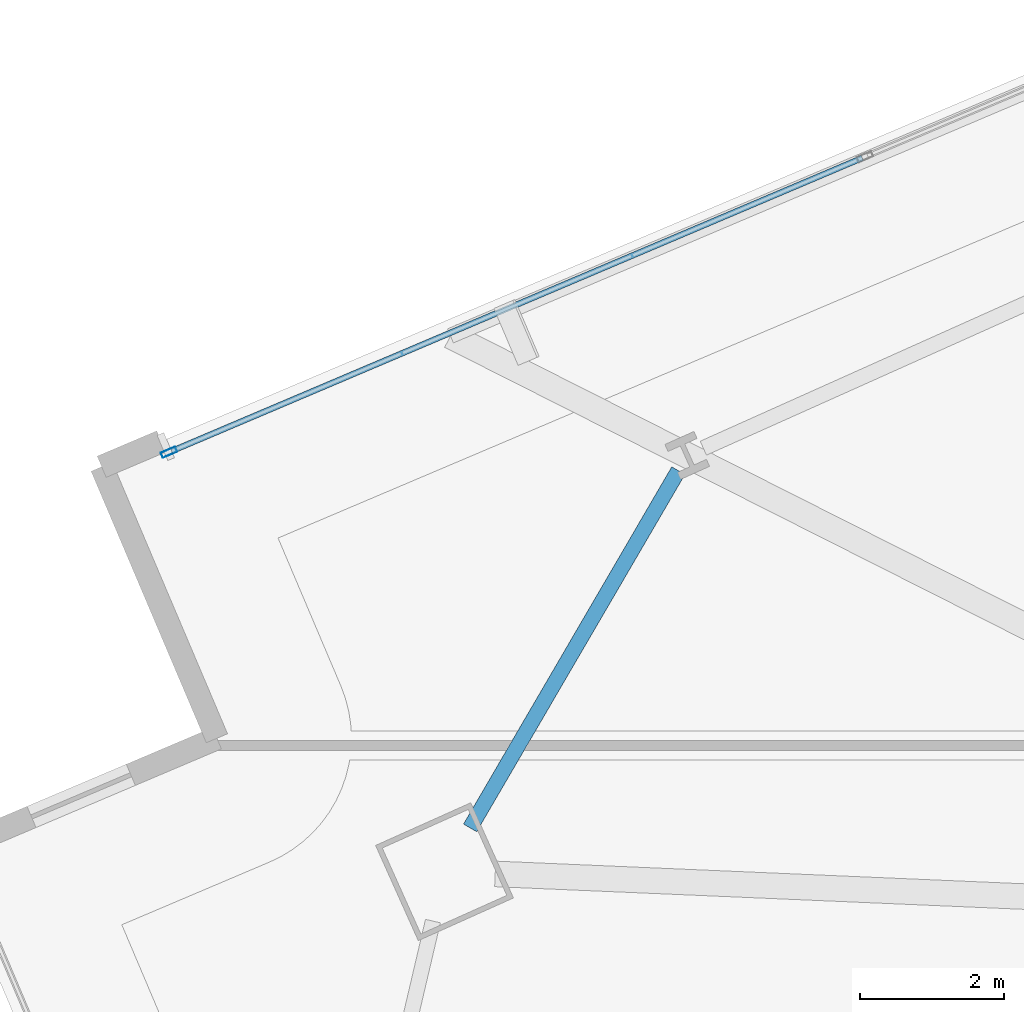
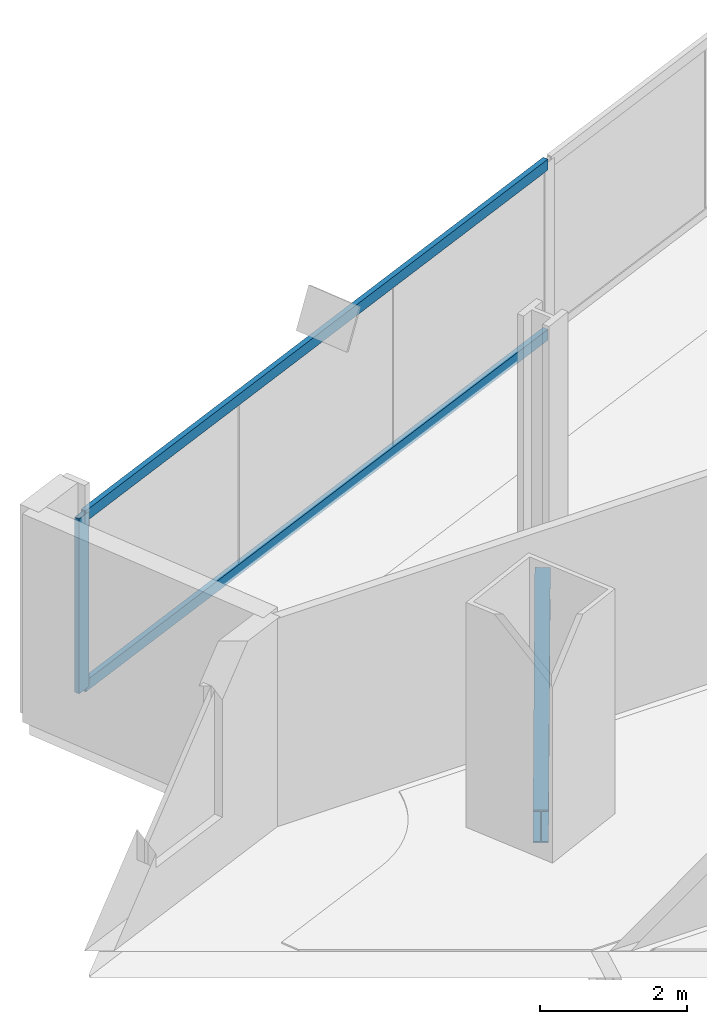
# One storey, part 16 of 34: 3 members, 1 beam, 1 element without a shape of its own.
"""IFC4 building model written with IfcOpenShell, lengths in metres."""

from ifc_helpers import new_model, si_unit, direction, frame, origin, origin_2d, place, context, subcontext, project, spatial, hollow_rectangle, i_section, extrude, material, material_profile, profile_set, type_object, element, aggregate, save


model = new_model("IFC4")

# Units and contexts
model_context = context("Model", 3, precision=1e-05, world=origin(), true_north=direction((0.0, 1.0)))
body_context = subcontext(model_context, "Body", "Model", "MODEL_VIEW")
ifc_project = project(units=[si_unit("LENGTHUNIT", "METRE"), si_unit("AREAUNIT", "SQUARE_METRE"), si_unit("VOLUMEUNIT", "CUBIC_METRE"), si_unit("PLANEANGLEUNIT", "RADIAN"), si_unit("MASSUNIT", "GRAM", prefix="KILO")], contexts=[model_context])

# Site, building, storey
site_placement = place(None, origin())
site = spatial("IfcSite", under=ifc_project, at=site_placement, CompositionType="ELEMENT")
building_placement = place(site_placement, origin())
building = spatial("IfcBuilding", under=site, at=building_placement, Name="Haldenkirk Collegiate Tower", CompositionType="ELEMENT")
storey_placement = place(building_placement, frame((0.0, 0.0, 105.449951171875)))
storey = spatial("IfcBuildingStorey", under=building, at=storey_placement, Name="L25", CompositionType="ELEMENT", Elevation=105.449951171875)

# Beam
ifc_material_1 = material(Name="Steel ASTM A992 Grade 50", Category="steel")
ifc_material_profile_1 = material_profile(ifc_material_1, i_section(OverallWidth=0.2119140625, OverallDepth=0.5439453125, WebThickness=0.01318359375, FlangeThickness=0.021240234375, at=origin_2d()), Name="W21X83")
ifc_profile_set_1 = profile_set([ifc_material_profile_1], Name="Steel ASTM A992 Grade 50")
beam_type = type_object("IfcBeamType", Name="BM-SPANDREL-W21X83", PredefinedType="SPANDREL", material=ifc_profile_set_1)
beam_placement = place(storey_placement, frame((14.035888671875, 40.27001953125, -0.572021484375), z_axis=(-0.503649179098, -0.863908273137, 0.0), x_axis=(0.863908273137, -0.503649179098, 0.0)))
element("IfcBeam", 1, at=beam_placement, inside=storey, type_object=beam_type, Name="L25 perimeter spandrel beam 12", PredefinedType="SPANDREL", context=body_context, shape_type="SweptSolid", body=[
    extrude(i_section(OverallWidth=0.2119140625, OverallDepth=0.5439453125, WebThickness=0.01318359375, FlangeThickness=0.021240234375, at=origin_2d()), origin(), (0.0, 0.0, 1.0), 5.748046875),
])

# Curtain wall, members
ifc_material_2 = material(Name="Anodised architectural bronze aluminium", Category="aluminium")
curtain_wall_type = type_object("IfcCurtainWallType", Name="CW-SYS1-CONVEX-LOW", PredefinedType="USERDEFINED", material=ifc_material_2)
curtain_wall_placement = place(storey_placement, origin())
curtain_wall = element("IfcCurtainWall", 2, at=curtain_wall_placement, inside=storey, type_object=curtain_wall_type, Name="L25 Lower tower convex bronze-framed unitised curtain wall", ObjectType="UNITISED CURTAIN WALL", PredefinedType="USERDEFINED")
ifc_material_profile_2 = material_profile(ifc_material_2, hollow_rectangle(XDim=0.080078125, YDim=0.219970703125, WallThickness=0.0048828125, at=origin_2d()), Name="CW-MUL-1A")
ifc_profile_set_2 = profile_set([ifc_material_profile_2], Name="Anodised architectural bronze aluminium")
member_type_1 = type_object("IfcMemberType", Name="CW-MUL-1A", PredefinedType="MULLION", material=ifc_profile_set_2)
member_1_placement = place(storey_placement, frame((6.955322265625, 40.526123046875, 0.0), z_axis=(0.0, 0.0, 1.0), x_axis=(-0.390730945162, 0.92050493127, 0.0)))
member_1 = element("IfcMember", 3, at=member_1_placement, type_object=member_type_1, Name="CW-1A mullion 1", PredefinedType="MULLION", context=body_context, shape_type="SweptSolid", body=[
    extrude(hollow_rectangle(XDim=0.080078125, YDim=0.219970703125, WallThickness=0.0048828125, at=origin_2d()), origin(), (0.0, 0.0, 1.0), 2.901123046875),
])
ifc_material_profile_3 = material_profile(ifc_material_2, hollow_rectangle(XDim=0.080078125, YDim=0.179931640625, WallThickness=0.0048828125, at=origin_2d()), Name="CW-TRN-1A")
ifc_profile_set_3 = profile_set([ifc_material_profile_3], Name="Anodised architectural bronze aluminium")
member_type_2 = type_object("IfcMemberType", Name="CW-TRN-1A", PredefinedType="USERDEFINED", material=ifc_profile_set_3)
member_2_placement = place(storey_placement, frame((6.9921875, 40.541748046875, 0.0400390625), z_axis=(0.920500409414, 0.390741597822, 0.0), x_axis=(-0.390741597822, 0.920500409414, 0.0)))
member_2 = element("IfcMember", 4, at=member_2_placement, type_object=member_type_2, Name="CW-1A transom 1.1", ObjectType="TRANSOM", PredefinedType="USERDEFINED", context=body_context, shape_type="SweptSolid", body=[
    extrude(hollow_rectangle(XDim=0.080078125, YDim=0.179931640625, WallThickness=0.0048828125, at=origin_2d()), origin(), (0.0, 0.0, 1.0), 10.429931640625),
])
member_3_placement = place(storey_placement, frame((6.9921875, 40.541748046875, 2.861083984375), z_axis=(0.920500409414, 0.390741597822, 0.0), x_axis=(-0.390741597822, 0.920500409414, 0.0)))
member_3 = element("IfcMember", 5, at=member_3_placement, type_object=member_type_2, Name="CW-1A transom 1.2", ObjectType="TRANSOM", PredefinedType="USERDEFINED", context=body_context, shape_type="SweptSolid", body=[
    extrude(hollow_rectangle(XDim=0.080078125, YDim=0.179931640625, WallThickness=0.0048828125, at=origin_2d()), origin(), (0.0, 0.0, 1.0), 10.429931640625),
])
aggregate(curtain_wall, [member_1, member_2, member_3])

save(model, "model.ifc")
